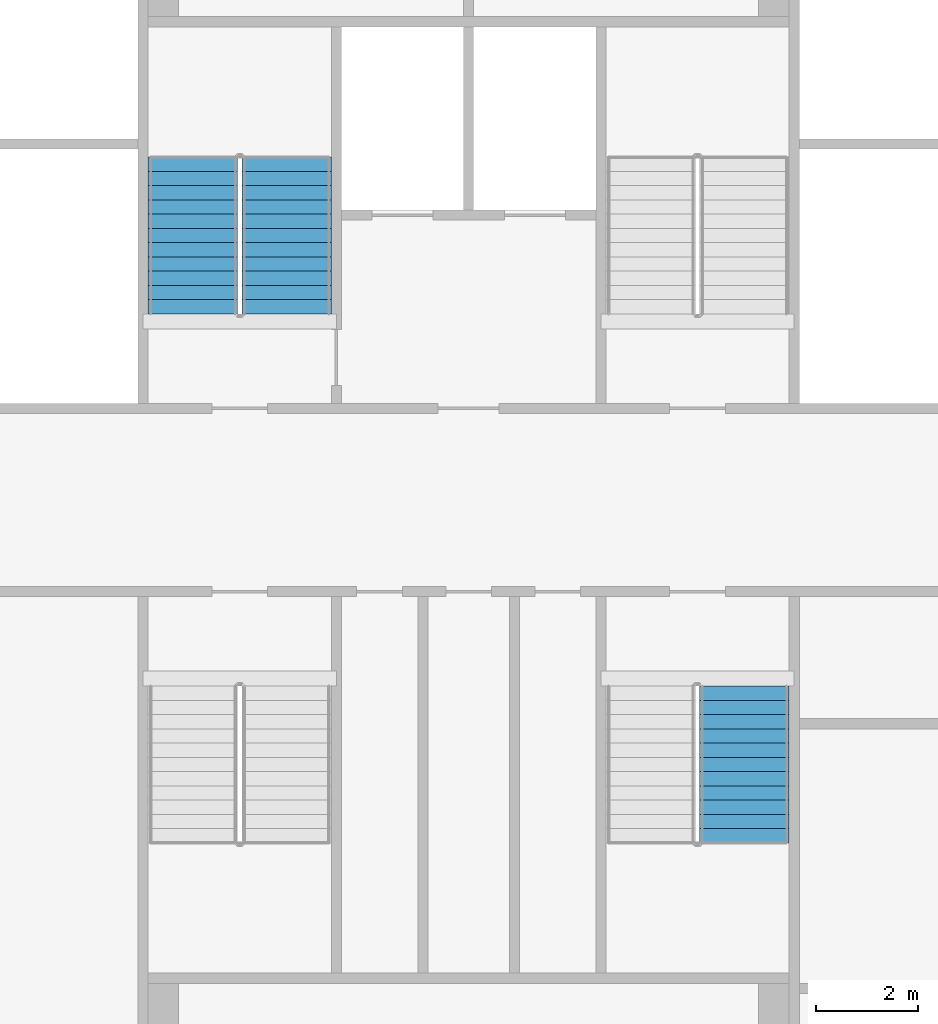
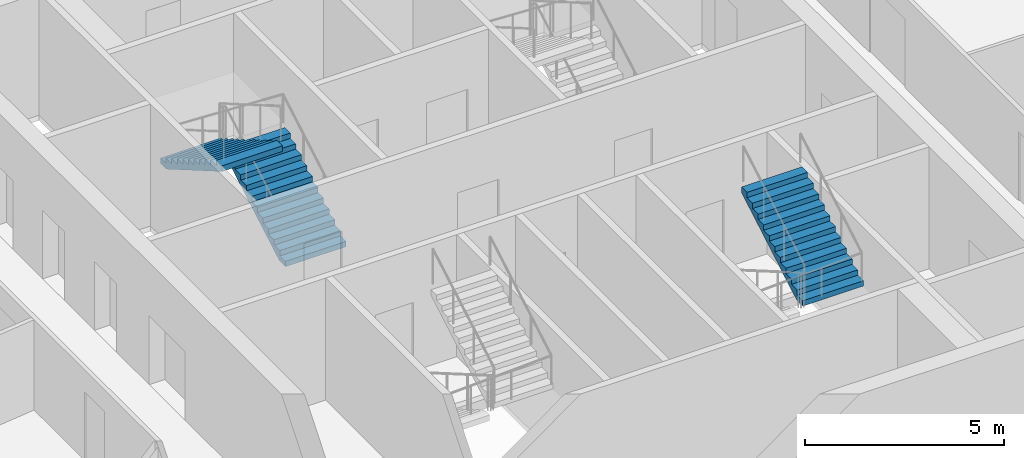
# One storey, part 14 of 20: 3 stair flights, 2 elements without a shape of their own.
"""IFC4 building model written with IfcOpenShell, lengths in metres."""

from ifc_helpers import new_model, si_unit, direction, frame, origin, place, context, subcontext, project, spatial, faceted_brep, material, type_object, element, aggregate, save


model = new_model("IFC4")

# Units and contexts
model_context = context("Model", 3, precision=1e-05, world=origin(), true_north=direction((0.0, 1.0)))
body_context = subcontext(model_context, "Body", "Model", "MODEL_VIEW")
ifc_project = project(units=[si_unit("LENGTHUNIT", "METRE"), si_unit("AREAUNIT", "SQUARE_METRE"), si_unit("VOLUMEUNIT", "CUBIC_METRE"), si_unit("PLANEANGLEUNIT", "RADIAN"), si_unit("MASSUNIT", "GRAM", prefix="KILO")], contexts=[model_context])

# Site, building, storey
site_placement = place(None, origin())
site = spatial("IfcSite", under=ifc_project, at=site_placement, CompositionType="ELEMENT")
building_placement = place(site_placement, origin())
building = spatial("IfcBuilding", under=site, at=building_placement, Name="Tarsis Ring Headquarters", CompositionType="ELEMENT")
storey_placement = place(building_placement, frame((0.0, 0.0, 315.800048828125)))
storey = spatial("IfcBuildingStorey", under=building, at=storey_placement, Name="L74", CompositionType="ELEMENT", Elevation=315.800048828125)

# Stair, stair flights
ifc_material_1 = material(Name="Core stair 1760")
stair_type = type_object("IfcStairType", Name="Core stair 1760", PredefinedType="HALF_TURN_STAIR", material=ifc_material_1)
stair_1_placement = place(storey_placement, origin())
stair_1 = element("IfcStair", 1, at=stair_1_placement, inside=storey, type_object=stair_type, Name="L74 Firefighting stair", PredefinedType="HALF_TURN_STAIR")
ifc_material_2 = material(Name="Concrete C40/50", Category="concrete")
stair_flight_type = type_object("IfcStairFlightType", Name="Core stair flight 1760", PredefinedType="STRAIGHT", material=ifc_material_2)
stair_flight_1_placement = place(storey_placement, frame((-3.580078125, 3.659912109375, 0.0), z_axis=(0.0, 0.0, 1.0), x_axis=(0.0, 1.0, 0.0)))
stair_flight_1 = element("IfcStairFlight", 2, at=stair_flight_1_placement, type_object=stair_flight_type, Name="Stair ST1 flight 1", NumberOfRisers=12, NumberOfTreads=11, PredefinedType="STRAIGHT", RiserHeight=0.1625, TreadLength=0.28, context=body_context, shape_type="Brep", body=[
    faceted_brep([(0.0, 0.8798828125, 0.0), (0.0, 0.8798828125, 0.16259765625), (0.280029296875, 0.8798828125, 0.16259765625), (0.280029296875, 0.8798828125, 0.324951171875), (0.56005859375, 0.8798828125, 0.324951171875), (0.56005859375, 0.8798828125, 0.487548828125), (0.840087890625, 0.8798828125, 0.487548828125), (0.840087890625, 0.8798828125, 0.64990234375), (1.1201171875, 0.8798828125, 0.64990234375), (1.1201171875, 0.8798828125, 0.8125), (1.39990234375, 0.8798828125, 0.8125), (1.39990234375, 0.8798828125, 0.97509765625), (1.679931640625, 0.8798828125, 0.97509765625), (1.679931640625, 0.8798828125, 1.137451171875), (1.9599609375, 0.8798828125, 1.137451171875), (1.9599609375, 0.8798828125, 1.300048828125), (2.239990234375, 0.8798828125, 1.300048828125), (2.239990234375, 0.8798828125, 1.46240234375), (2.52001953125, 0.8798828125, 1.46240234375), (2.52001953125, 0.8798828125, 1.625), (2.800048828125, 0.8798828125, 1.625), (2.800048828125, 0.8798828125, 1.78759765625), (3.080078125, 0.8798828125, 1.78759765625), (3.080078125, 0.8798828125, 1.6142578125), (0.298583984375, 0.8798828125, 0.0), (0.298583984375, -0.8798828125, 0.0), (3.080078125, -0.8798828125, 1.6142578125), (3.080078125, -0.8798828125, 1.78759765625), (2.800048828125, -0.8798828125, 1.78759765625), (2.800048828125, -0.8798828125, 1.625), (2.52001953125, -0.8798828125, 1.625), (2.52001953125, -0.8798828125, 1.46240234375), (2.239990234375, -0.8798828125, 1.46240234375), (2.239990234375, -0.8798828125, 1.300048828125), (1.9599609375, -0.8798828125, 1.300048828125), (1.9599609375, -0.8798828125, 1.137451171875), (1.679931640625, -0.8798828125, 1.137451171875), (1.679931640625, -0.8798828125, 0.97509765625), (1.39990234375, -0.8798828125, 0.97509765625), (1.39990234375, -0.8798828125, 0.8125), (1.1201171875, -0.8798828125, 0.8125), (1.1201171875, -0.8798828125, 0.64990234375), (0.840087890625, -0.8798828125, 0.64990234375), (0.840087890625, -0.8798828125, 0.487548828125), (0.56005859375, -0.8798828125, 0.487548828125), (0.56005859375, -0.8798828125, 0.324951171875), (0.280029296875, -0.8798828125, 0.324951171875), (0.280029296875, -0.8798828125, 0.16259765625), (0.0, -0.8798828125, 0.16259765625), (0.0, -0.8798828125, 0.0), (0.0, -0.43994140625, 0.16259765625), (0.0, -0.43994140625, 0.0), (0.0, 0.0, 0.16259765625), (0.0, 0.0, 0.0), (0.0, 0.43994140625, 0.16259765625), (0.0, 0.43994140625, 0.0), (0.280029296875, -0.43994140625, 0.16259765625), (0.280029296875, 0.0, 0.16259765625), (0.280029296875, 0.43994140625, 0.16259765625), (0.280029296875, -0.43994140625, 0.324951171875), (0.280029296875, 0.0, 0.324951171875), (0.280029296875, 0.43994140625, 0.324951171875), (0.56005859375, -0.43994140625, 0.324951171875), (0.56005859375, 0.0, 0.324951171875), (0.56005859375, 0.43994140625, 0.324951171875), (0.56005859375, -0.43994140625, 0.487548828125), (0.56005859375, 0.0, 0.487548828125), (0.56005859375, 0.43994140625, 0.487548828125), (0.840087890625, -0.43994140625, 0.487548828125), (0.840087890625, 0.0, 0.487548828125), (0.840087890625, 0.43994140625, 0.487548828125), (0.840087890625, -0.43994140625, 0.64990234375), (0.840087890625, 0.0, 0.64990234375), (0.840087890625, 0.43994140625, 0.64990234375), (1.1201171875, -0.43994140625, 0.64990234375), (1.1201171875, 0.0, 0.64990234375), (1.1201171875, 0.43994140625, 0.64990234375), (1.1201171875, -0.43994140625, 0.8125), (1.1201171875, 0.0, 0.8125), (1.1201171875, 0.43994140625, 0.8125), (1.39990234375, -0.43994140625, 0.8125), (1.39990234375, 0.0, 0.8125), (1.39990234375, 0.43994140625, 0.8125), (1.39990234375, -0.43994140625, 0.97509765625), (1.39990234375, 0.0, 0.97509765625), (1.39990234375, 0.43994140625, 0.97509765625), (1.679931640625, -0.43994140625, 0.97509765625), (1.679931640625, 0.0, 0.97509765625), (1.679931640625, 0.43994140625, 0.97509765625), (1.679931640625, -0.43994140625, 1.137451171875), (1.679931640625, 0.0, 1.137451171875), (1.679931640625, 0.43994140625, 1.137451171875), (1.9599609375, -0.43994140625, 1.137451171875), (1.9599609375, 0.0, 1.137451171875), (1.9599609375, 0.43994140625, 1.137451171875), (1.9599609375, -0.43994140625, 1.300048828125), (1.9599609375, 0.0, 1.300048828125), (1.9599609375, 0.43994140625, 1.300048828125), (2.239990234375, -0.43994140625, 1.300048828125), (2.239990234375, 0.0, 1.300048828125), (2.239990234375, 0.43994140625, 1.300048828125), (2.239990234375, -0.43994140625, 1.46240234375), (2.239990234375, 0.0, 1.46240234375), (2.239990234375, 0.43994140625, 1.46240234375), (2.52001953125, -0.43994140625, 1.46240234375), (2.52001953125, 0.0, 1.46240234375), (2.52001953125, 0.43994140625, 1.46240234375), (2.52001953125, -0.43994140625, 1.625), (2.52001953125, 0.0, 1.625), (2.52001953125, 0.43994140625, 1.625), (2.800048828125, -0.43994140625, 1.625), (2.800048828125, 0.0, 1.625), (2.800048828125, 0.43994140625, 1.625), (2.800048828125, -0.43994140625, 1.78759765625), (2.800048828125, 0.0, 1.78759765625), (2.800048828125, 0.43994140625, 1.78759765625), (3.080078125, -0.43994140625, 1.78759765625), (3.080078125, 0.0, 1.78759765625), (3.080078125, 0.43994140625, 1.78759765625), (3.080078125, -0.43994140625, 1.6142578125), (3.080078125, 0.0, 1.6142578125), (3.080078125, 0.43994140625, 1.6142578125), (0.298583984375, -0.43994140625, 0.0), (0.298583984375, 0.0, 0.0), (0.298583984375, 0.43994140625, 0.0)], [[[0, 1, 2, 3, 4, 5, 6, 7, 8, 9, 10, 11, 12, 13, 14, 15, 16, 17, 18, 19, 20, 21, 22, 23, 24]], [[25, 26, 27, 28, 29, 30, 31, 32, 33, 34, 35, 36, 37, 38, 39, 40, 41, 42, 43, 44, 45, 46, 47, 48, 49]], [[49, 48, 50, 51]], [[51, 50, 52, 53]], [[53, 52, 54, 55]], [[55, 54, 1, 0]], [[48, 47, 56, 50]], [[50, 56, 57, 52]], [[52, 57, 58, 54]], [[54, 58, 2, 1]], [[47, 46, 59, 56]], [[56, 59, 60, 57]], [[57, 60, 61, 58]], [[58, 61, 3, 2]], [[46, 45, 62, 59]], [[59, 62, 63, 60]], [[60, 63, 64, 61]], [[61, 64, 4, 3]], [[45, 44, 65, 62]], [[62, 65, 66, 63]], [[63, 66, 67, 64]], [[64, 67, 5, 4]], [[44, 43, 68, 65]], [[65, 68, 69, 66]], [[66, 69, 70, 67]], [[67, 70, 6, 5]], [[43, 42, 71, 68]], [[68, 71, 72, 69]], [[69, 72, 73, 70]], [[70, 73, 7, 6]], [[42, 41, 74, 71]], [[71, 74, 75, 72]], [[72, 75, 76, 73]], [[73, 76, 8, 7]], [[41, 40, 77, 74]], [[74, 77, 78, 75]], [[75, 78, 79, 76]], [[76, 79, 9, 8]], [[40, 39, 80, 77]], [[77, 80, 81, 78]], [[78, 81, 82, 79]], [[79, 82, 10, 9]], [[39, 38, 83, 80]], [[80, 83, 84, 81]], [[81, 84, 85, 82]], [[82, 85, 11, 10]], [[38, 37, 86, 83]], [[83, 86, 87, 84]], [[84, 87, 88, 85]], [[85, 88, 12, 11]], [[37, 36, 89, 86]], [[86, 89, 90, 87]], [[87, 90, 91, 88]], [[88, 91, 13, 12]], [[36, 35, 92, 89]], [[89, 92, 93, 90]], [[90, 93, 94, 91]], [[91, 94, 14, 13]], [[35, 34, 95, 92]], [[92, 95, 96, 93]], [[93, 96, 97, 94]], [[94, 97, 15, 14]], [[34, 33, 98, 95]], [[95, 98, 99, 96]], [[96, 99, 100, 97]], [[97, 100, 16, 15]], [[33, 32, 101, 98]], [[98, 101, 102, 99]], [[99, 102, 103, 100]], [[100, 103, 17, 16]], [[32, 31, 104, 101]], [[101, 104, 105, 102]], [[102, 105, 106, 103]], [[103, 106, 18, 17]], [[31, 30, 107, 104]], [[104, 107, 108, 105]], [[105, 108, 109, 106]], [[106, 109, 19, 18]], [[30, 29, 110, 107]], [[107, 110, 111, 108]], [[108, 111, 112, 109]], [[109, 112, 20, 19]], [[29, 28, 113, 110]], [[110, 113, 114, 111]], [[111, 114, 115, 112]], [[112, 115, 21, 20]], [[28, 27, 116, 113]], [[113, 116, 117, 114]], [[114, 117, 118, 115]], [[115, 118, 22, 21]], [[27, 26, 119, 116]], [[116, 119, 120, 117]], [[117, 120, 121, 118]], [[118, 121, 23, 22]], [[26, 25, 122, 119]], [[119, 122, 123, 120]], [[120, 123, 124, 121]], [[121, 124, 24, 23]], [[25, 49, 51, 122]], [[122, 51, 53, 123]], [[123, 53, 55, 124]], [[124, 55, 0, 24]]]),
])
stair_flight_2_placement = place(storey_placement, frame((-5.419921875, 6.739990234375, 1.949951171875), z_axis=(0.0, 0.0, 1.0), x_axis=(0.0, -1.0, 0.0)))
stair_flight_2 = element("IfcStairFlight", 3, at=stair_flight_2_placement, type_object=stair_flight_type, Name="Stair ST1 flight 2", NumberOfRisers=12, NumberOfTreads=11, PredefinedType="STRAIGHT", RiserHeight=0.1625, TreadLength=0.28, context=body_context, shape_type="Brep", body=[
    faceted_brep([(0.0, 0.8798828125, 0.0), (0.0, 0.8798828125, 0.16259765625), (0.280029296875, 0.8798828125, 0.16259765625), (0.280029296875, 0.8798828125, 0.324951171875), (0.56005859375, 0.8798828125, 0.324951171875), (0.56005859375, 0.8798828125, 0.487548828125), (0.840087890625, 0.8798828125, 0.487548828125), (0.840087890625, 0.8798828125, 0.64990234375), (1.1201171875, 0.8798828125, 0.64990234375), (1.1201171875, 0.8798828125, 0.8125), (1.39990234375, 0.8798828125, 0.8125), (1.39990234375, 0.8798828125, 0.97509765625), (1.679931640625, 0.8798828125, 0.97509765625), (1.679931640625, 0.8798828125, 1.137451171875), (1.9599609375, 0.8798828125, 1.137451171875), (1.9599609375, 0.8798828125, 1.300048828125), (2.239990234375, 0.8798828125, 1.300048828125), (2.239990234375, 0.8798828125, 1.46240234375), (2.52001953125, 0.8798828125, 1.46240234375), (2.52001953125, 0.8798828125, 1.625), (2.800048828125, 0.8798828125, 1.625), (2.800048828125, 0.8798828125, 1.78759765625), (3.080078125, 0.8798828125, 1.78759765625), (3.080078125, 0.8798828125, 1.6142578125), (0.298583984375, 0.8798828125, 0.0), (0.298583984375, -0.8798828125, 0.0), (3.080078125, -0.8798828125, 1.6142578125), (3.080078125, -0.8798828125, 1.78759765625), (2.800048828125, -0.8798828125, 1.78759765625), (2.800048828125, -0.8798828125, 1.625), (2.52001953125, -0.8798828125, 1.625), (2.52001953125, -0.8798828125, 1.46240234375), (2.239990234375, -0.8798828125, 1.46240234375), (2.239990234375, -0.8798828125, 1.300048828125), (1.9599609375, -0.8798828125, 1.300048828125), (1.9599609375, -0.8798828125, 1.137451171875), (1.679931640625, -0.8798828125, 1.137451171875), (1.679931640625, -0.8798828125, 0.97509765625), (1.39990234375, -0.8798828125, 0.97509765625), (1.39990234375, -0.8798828125, 0.8125), (1.1201171875, -0.8798828125, 0.8125), (1.1201171875, -0.8798828125, 0.64990234375), (0.840087890625, -0.8798828125, 0.64990234375), (0.840087890625, -0.8798828125, 0.487548828125), (0.56005859375, -0.8798828125, 0.487548828125), (0.56005859375, -0.8798828125, 0.324951171875), (0.280029296875, -0.8798828125, 0.324951171875), (0.280029296875, -0.8798828125, 0.16259765625), (0.0, -0.8798828125, 0.16259765625), (0.0, -0.8798828125, 0.0), (0.0, -0.43994140625, 0.16259765625), (0.0, -0.43994140625, 0.0), (0.0, 0.0, 0.16259765625), (0.0, 0.0, 0.0), (0.0, 0.43994140625, 0.16259765625), (0.0, 0.43994140625, 0.0), (0.280029296875, -0.43994140625, 0.16259765625), (0.280029296875, 0.0, 0.16259765625), (0.280029296875, 0.43994140625, 0.16259765625), (0.280029296875, -0.43994140625, 0.324951171875), (0.280029296875, 0.0, 0.324951171875), (0.280029296875, 0.43994140625, 0.324951171875), (0.56005859375, -0.43994140625, 0.324951171875), (0.56005859375, 0.0, 0.324951171875), (0.56005859375, 0.43994140625, 0.324951171875), (0.56005859375, -0.43994140625, 0.487548828125), (0.56005859375, 0.0, 0.487548828125), (0.56005859375, 0.43994140625, 0.487548828125), (0.840087890625, -0.43994140625, 0.487548828125), (0.840087890625, 0.0, 0.487548828125), (0.840087890625, 0.43994140625, 0.487548828125), (0.840087890625, -0.43994140625, 0.64990234375), (0.840087890625, 0.0, 0.64990234375), (0.840087890625, 0.43994140625, 0.64990234375), (1.1201171875, -0.43994140625, 0.64990234375), (1.1201171875, 0.0, 0.64990234375), (1.1201171875, 0.43994140625, 0.64990234375), (1.1201171875, -0.43994140625, 0.8125), (1.1201171875, 0.0, 0.8125), (1.1201171875, 0.43994140625, 0.8125), (1.39990234375, -0.43994140625, 0.8125), (1.39990234375, 0.0, 0.8125), (1.39990234375, 0.43994140625, 0.8125), (1.39990234375, -0.43994140625, 0.97509765625), (1.39990234375, 0.0, 0.97509765625), (1.39990234375, 0.43994140625, 0.97509765625), (1.679931640625, -0.43994140625, 0.97509765625), (1.679931640625, 0.0, 0.97509765625), (1.679931640625, 0.43994140625, 0.97509765625), (1.679931640625, -0.43994140625, 1.137451171875), (1.679931640625, 0.0, 1.137451171875), (1.679931640625, 0.43994140625, 1.137451171875), (1.9599609375, -0.43994140625, 1.137451171875), (1.9599609375, 0.0, 1.137451171875), (1.9599609375, 0.43994140625, 1.137451171875), (1.9599609375, -0.43994140625, 1.300048828125), (1.9599609375, 0.0, 1.300048828125), (1.9599609375, 0.43994140625, 1.300048828125), (2.239990234375, -0.43994140625, 1.300048828125), (2.239990234375, 0.0, 1.300048828125), (2.239990234375, 0.43994140625, 1.300048828125), (2.239990234375, -0.43994140625, 1.46240234375), (2.239990234375, 0.0, 1.46240234375), (2.239990234375, 0.43994140625, 1.46240234375), (2.52001953125, -0.43994140625, 1.46240234375), (2.52001953125, 0.0, 1.46240234375), (2.52001953125, 0.43994140625, 1.46240234375), (2.52001953125, -0.43994140625, 1.625), (2.52001953125, 0.0, 1.625), (2.52001953125, 0.43994140625, 1.625), (2.800048828125, -0.43994140625, 1.625), (2.800048828125, 0.0, 1.625), (2.800048828125, 0.43994140625, 1.625), (2.800048828125, -0.43994140625, 1.78759765625), (2.800048828125, 0.0, 1.78759765625), (2.800048828125, 0.43994140625, 1.78759765625), (3.080078125, -0.43994140625, 1.78759765625), (3.080078125, 0.0, 1.78759765625), (3.080078125, 0.43994140625, 1.78759765625), (3.080078125, -0.43994140625, 1.6142578125), (3.080078125, 0.0, 1.6142578125), (3.080078125, 0.43994140625, 1.6142578125), (0.298583984375, -0.43994140625, 0.0), (0.298583984375, 0.0, 0.0), (0.298583984375, 0.43994140625, 0.0)], [[[0, 1, 2, 3, 4, 5, 6, 7, 8, 9, 10, 11, 12, 13, 14, 15, 16, 17, 18, 19, 20, 21, 22, 23, 24]], [[25, 26, 27, 28, 29, 30, 31, 32, 33, 34, 35, 36, 37, 38, 39, 40, 41, 42, 43, 44, 45, 46, 47, 48, 49]], [[49, 48, 50, 51]], [[51, 50, 52, 53]], [[53, 52, 54, 55]], [[55, 54, 1, 0]], [[48, 47, 56, 50]], [[50, 56, 57, 52]], [[52, 57, 58, 54]], [[54, 58, 2, 1]], [[47, 46, 59, 56]], [[56, 59, 60, 57]], [[57, 60, 61, 58]], [[58, 61, 3, 2]], [[46, 45, 62, 59]], [[59, 62, 63, 60]], [[60, 63, 64, 61]], [[61, 64, 4, 3]], [[45, 44, 65, 62]], [[62, 65, 66, 63]], [[63, 66, 67, 64]], [[64, 67, 5, 4]], [[44, 43, 68, 65]], [[65, 68, 69, 66]], [[66, 69, 70, 67]], [[67, 70, 6, 5]], [[43, 42, 71, 68]], [[68, 71, 72, 69]], [[69, 72, 73, 70]], [[70, 73, 7, 6]], [[42, 41, 74, 71]], [[71, 74, 75, 72]], [[72, 75, 76, 73]], [[73, 76, 8, 7]], [[41, 40, 77, 74]], [[74, 77, 78, 75]], [[75, 78, 79, 76]], [[76, 79, 9, 8]], [[40, 39, 80, 77]], [[77, 80, 81, 78]], [[78, 81, 82, 79]], [[79, 82, 10, 9]], [[39, 38, 83, 80]], [[80, 83, 84, 81]], [[81, 84, 85, 82]], [[82, 85, 11, 10]], [[38, 37, 86, 83]], [[83, 86, 87, 84]], [[84, 87, 88, 85]], [[85, 88, 12, 11]], [[37, 36, 89, 86]], [[86, 89, 90, 87]], [[87, 90, 91, 88]], [[88, 91, 13, 12]], [[36, 35, 92, 89]], [[89, 92, 93, 90]], [[90, 93, 94, 91]], [[91, 94, 14, 13]], [[35, 34, 95, 92]], [[92, 95, 96, 93]], [[93, 96, 97, 94]], [[94, 97, 15, 14]], [[34, 33, 98, 95]], [[95, 98, 99, 96]], [[96, 99, 100, 97]], [[97, 100, 16, 15]], [[33, 32, 101, 98]], [[98, 101, 102, 99]], [[99, 102, 103, 100]], [[100, 103, 17, 16]], [[32, 31, 104, 101]], [[101, 104, 105, 102]], [[102, 105, 106, 103]], [[103, 106, 18, 17]], [[31, 30, 107, 104]], [[104, 107, 108, 105]], [[105, 108, 109, 106]], [[106, 109, 19, 18]], [[30, 29, 110, 107]], [[107, 110, 111, 108]], [[108, 111, 112, 109]], [[109, 112, 20, 19]], [[29, 28, 113, 110]], [[110, 113, 114, 111]], [[111, 114, 115, 112]], [[112, 115, 21, 20]], [[28, 27, 116, 113]], [[113, 116, 117, 114]], [[114, 117, 118, 115]], [[115, 118, 22, 21]], [[27, 26, 119, 116]], [[116, 119, 120, 117]], [[117, 120, 121, 118]], [[118, 121, 23, 22]], [[26, 25, 122, 119]], [[119, 122, 123, 120]], [[120, 123, 124, 121]], [[121, 124, 24, 23]], [[25, 49, 51, 122]], [[122, 51, 53, 123]], [[123, 53, 55, 124]], [[124, 55, 0, 24]]]),
])
aggregate(stair_1, [stair_flight_1, stair_flight_2])

# Stair, stair flight
stair_2_placement = place(storey_placement, origin())
stair_2 = element("IfcStair", 4, at=stair_2_placement, inside=storey, type_object=stair_type, Name="L74 Exit stair D", PredefinedType="HALF_TURN_STAIR")
stair_flight_3_placement = place(storey_placement, frame((5.419921875, -6.739990234375, 1.949951171875), z_axis=(0.0, 0.0, 1.0), x_axis=(0.0, 1.0, 0.0)))
stair_flight_3 = element("IfcStairFlight", 5, at=stair_flight_3_placement, type_object=stair_flight_type, Name="Stair ST4 flight 2", NumberOfRisers=12, NumberOfTreads=11, PredefinedType="STRAIGHT", RiserHeight=0.1625, TreadLength=0.28, context=body_context, shape_type="Brep", body=[
    faceted_brep([(0.0, 0.8798828125, 0.0), (0.0, 0.8798828125, 0.16259765625), (0.280029296875, 0.8798828125, 0.16259765625), (0.280029296875, 0.8798828125, 0.324951171875), (0.56005859375, 0.8798828125, 0.324951171875), (0.56005859375, 0.8798828125, 0.487548828125), (0.840087890625, 0.8798828125, 0.487548828125), (0.840087890625, 0.8798828125, 0.64990234375), (1.1201171875, 0.8798828125, 0.64990234375), (1.1201171875, 0.8798828125, 0.8125), (1.39990234375, 0.8798828125, 0.8125), (1.39990234375, 0.8798828125, 0.97509765625), (1.679931640625, 0.8798828125, 0.97509765625), (1.679931640625, 0.8798828125, 1.137451171875), (1.9599609375, 0.8798828125, 1.137451171875), (1.9599609375, 0.8798828125, 1.300048828125), (2.239990234375, 0.8798828125, 1.300048828125), (2.239990234375, 0.8798828125, 1.46240234375), (2.52001953125, 0.8798828125, 1.46240234375), (2.52001953125, 0.8798828125, 1.625), (2.800048828125, 0.8798828125, 1.625), (2.800048828125, 0.8798828125, 1.78759765625), (3.080078125, 0.8798828125, 1.78759765625), (3.080078125, 0.8798828125, 1.6142578125), (0.298583984375, 0.8798828125, 0.0), (0.298583984375, -0.8798828125, 0.0), (3.080078125, -0.8798828125, 1.6142578125), (3.080078125, -0.8798828125, 1.78759765625), (2.800048828125, -0.8798828125, 1.78759765625), (2.800048828125, -0.8798828125, 1.625), (2.52001953125, -0.8798828125, 1.625), (2.52001953125, -0.8798828125, 1.46240234375), (2.239990234375, -0.8798828125, 1.46240234375), (2.239990234375, -0.8798828125, 1.300048828125), (1.9599609375, -0.8798828125, 1.300048828125), (1.9599609375, -0.8798828125, 1.137451171875), (1.679931640625, -0.8798828125, 1.137451171875), (1.679931640625, -0.8798828125, 0.97509765625), (1.39990234375, -0.8798828125, 0.97509765625), (1.39990234375, -0.8798828125, 0.8125), (1.1201171875, -0.8798828125, 0.8125), (1.1201171875, -0.8798828125, 0.64990234375), (0.840087890625, -0.8798828125, 0.64990234375), (0.840087890625, -0.8798828125, 0.487548828125), (0.56005859375, -0.8798828125, 0.487548828125), (0.56005859375, -0.8798828125, 0.324951171875), (0.280029296875, -0.8798828125, 0.324951171875), (0.280029296875, -0.8798828125, 0.16259765625), (0.0, -0.8798828125, 0.16259765625), (0.0, -0.8798828125, 0.0), (0.0, -0.43994140625, 0.16259765625), (0.0, -0.43994140625, 0.0), (0.0, 0.0, 0.16259765625), (0.0, 0.0, 0.0), (0.0, 0.43994140625, 0.16259765625), (0.0, 0.43994140625, 0.0), (0.280029296875, -0.43994140625, 0.16259765625), (0.280029296875, 0.0, 0.16259765625), (0.280029296875, 0.43994140625, 0.16259765625), (0.280029296875, -0.43994140625, 0.324951171875), (0.280029296875, 0.0, 0.324951171875), (0.280029296875, 0.43994140625, 0.324951171875), (0.56005859375, -0.43994140625, 0.324951171875), (0.56005859375, 0.0, 0.324951171875), (0.56005859375, 0.43994140625, 0.324951171875), (0.56005859375, -0.43994140625, 0.487548828125), (0.56005859375, 0.0, 0.487548828125), (0.56005859375, 0.43994140625, 0.487548828125), (0.840087890625, -0.43994140625, 0.487548828125), (0.840087890625, 0.0, 0.487548828125), (0.840087890625, 0.43994140625, 0.487548828125), (0.840087890625, -0.43994140625, 0.64990234375), (0.840087890625, 0.0, 0.64990234375), (0.840087890625, 0.43994140625, 0.64990234375), (1.1201171875, -0.43994140625, 0.64990234375), (1.1201171875, 0.0, 0.64990234375), (1.1201171875, 0.43994140625, 0.64990234375), (1.1201171875, -0.43994140625, 0.8125), (1.1201171875, 0.0, 0.8125), (1.1201171875, 0.43994140625, 0.8125), (1.39990234375, -0.43994140625, 0.8125), (1.39990234375, 0.0, 0.8125), (1.39990234375, 0.43994140625, 0.8125), (1.39990234375, -0.43994140625, 0.97509765625), (1.39990234375, 0.0, 0.97509765625), (1.39990234375, 0.43994140625, 0.97509765625), (1.679931640625, -0.43994140625, 0.97509765625), (1.679931640625, 0.0, 0.97509765625), (1.679931640625, 0.43994140625, 0.97509765625), (1.679931640625, -0.43994140625, 1.137451171875), (1.679931640625, 0.0, 1.137451171875), (1.679931640625, 0.43994140625, 1.137451171875), (1.9599609375, -0.43994140625, 1.137451171875), (1.9599609375, 0.0, 1.137451171875), (1.9599609375, 0.43994140625, 1.137451171875), (1.9599609375, -0.43994140625, 1.300048828125), (1.9599609375, 0.0, 1.300048828125), (1.9599609375, 0.43994140625, 1.300048828125), (2.239990234375, -0.43994140625, 1.300048828125), (2.239990234375, 0.0, 1.300048828125), (2.239990234375, 0.43994140625, 1.300048828125), (2.239990234375, -0.43994140625, 1.46240234375), (2.239990234375, 0.0, 1.46240234375), (2.239990234375, 0.43994140625, 1.46240234375), (2.52001953125, -0.43994140625, 1.46240234375), (2.52001953125, 0.0, 1.46240234375), (2.52001953125, 0.43994140625, 1.46240234375), (2.52001953125, -0.43994140625, 1.625), (2.52001953125, 0.0, 1.625), (2.52001953125, 0.43994140625, 1.625), (2.800048828125, -0.43994140625, 1.625), (2.800048828125, 0.0, 1.625), (2.800048828125, 0.43994140625, 1.625), (2.800048828125, -0.43994140625, 1.78759765625), (2.800048828125, 0.0, 1.78759765625), (2.800048828125, 0.43994140625, 1.78759765625), (3.080078125, -0.43994140625, 1.78759765625), (3.080078125, 0.0, 1.78759765625), (3.080078125, 0.43994140625, 1.78759765625), (3.080078125, -0.43994140625, 1.6142578125), (3.080078125, 0.0, 1.6142578125), (3.080078125, 0.43994140625, 1.6142578125), (0.298583984375, -0.43994140625, 0.0), (0.298583984375, 0.0, 0.0), (0.298583984375, 0.43994140625, 0.0)], [[[0, 1, 2, 3, 4, 5, 6, 7, 8, 9, 10, 11, 12, 13, 14, 15, 16, 17, 18, 19, 20, 21, 22, 23, 24]], [[25, 26, 27, 28, 29, 30, 31, 32, 33, 34, 35, 36, 37, 38, 39, 40, 41, 42, 43, 44, 45, 46, 47, 48, 49]], [[49, 48, 50, 51]], [[51, 50, 52, 53]], [[53, 52, 54, 55]], [[55, 54, 1, 0]], [[48, 47, 56, 50]], [[50, 56, 57, 52]], [[52, 57, 58, 54]], [[54, 58, 2, 1]], [[47, 46, 59, 56]], [[56, 59, 60, 57]], [[57, 60, 61, 58]], [[58, 61, 3, 2]], [[46, 45, 62, 59]], [[59, 62, 63, 60]], [[60, 63, 64, 61]], [[61, 64, 4, 3]], [[45, 44, 65, 62]], [[62, 65, 66, 63]], [[63, 66, 67, 64]], [[64, 67, 5, 4]], [[44, 43, 68, 65]], [[65, 68, 69, 66]], [[66, 69, 70, 67]], [[67, 70, 6, 5]], [[43, 42, 71, 68]], [[68, 71, 72, 69]], [[69, 72, 73, 70]], [[70, 73, 7, 6]], [[42, 41, 74, 71]], [[71, 74, 75, 72]], [[72, 75, 76, 73]], [[73, 76, 8, 7]], [[41, 40, 77, 74]], [[74, 77, 78, 75]], [[75, 78, 79, 76]], [[76, 79, 9, 8]], [[40, 39, 80, 77]], [[77, 80, 81, 78]], [[78, 81, 82, 79]], [[79, 82, 10, 9]], [[39, 38, 83, 80]], [[80, 83, 84, 81]], [[81, 84, 85, 82]], [[82, 85, 11, 10]], [[38, 37, 86, 83]], [[83, 86, 87, 84]], [[84, 87, 88, 85]], [[85, 88, 12, 11]], [[37, 36, 89, 86]], [[86, 89, 90, 87]], [[87, 90, 91, 88]], [[88, 91, 13, 12]], [[36, 35, 92, 89]], [[89, 92, 93, 90]], [[90, 93, 94, 91]], [[91, 94, 14, 13]], [[35, 34, 95, 92]], [[92, 95, 96, 93]], [[93, 96, 97, 94]], [[94, 97, 15, 14]], [[34, 33, 98, 95]], [[95, 98, 99, 96]], [[96, 99, 100, 97]], [[97, 100, 16, 15]], [[33, 32, 101, 98]], [[98, 101, 102, 99]], [[99, 102, 103, 100]], [[100, 103, 17, 16]], [[32, 31, 104, 101]], [[101, 104, 105, 102]], [[102, 105, 106, 103]], [[103, 106, 18, 17]], [[31, 30, 107, 104]], [[104, 107, 108, 105]], [[105, 108, 109, 106]], [[106, 109, 19, 18]], [[30, 29, 110, 107]], [[107, 110, 111, 108]], [[108, 111, 112, 109]], [[109, 112, 20, 19]], [[29, 28, 113, 110]], [[110, 113, 114, 111]], [[111, 114, 115, 112]], [[112, 115, 21, 20]], [[28, 27, 116, 113]], [[113, 116, 117, 114]], [[114, 117, 118, 115]], [[115, 118, 22, 21]], [[27, 26, 119, 116]], [[116, 119, 120, 117]], [[117, 120, 121, 118]], [[118, 121, 23, 22]], [[26, 25, 122, 119]], [[119, 122, 123, 120]], [[120, 123, 124, 121]], [[121, 124, 24, 23]], [[25, 49, 51, 122]], [[122, 51, 53, 123]], [[123, 53, 55, 124]], [[124, 55, 0, 24]]]),
])
aggregate(stair_2, [stair_flight_3])

save(model, "model.ifc")
